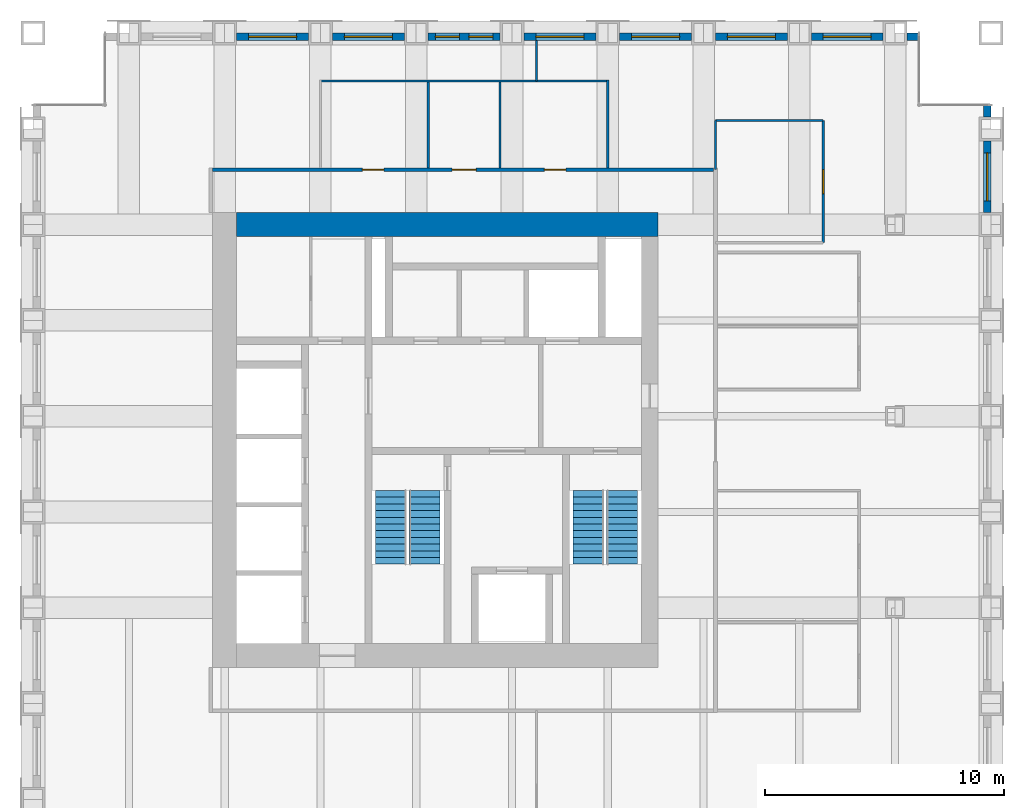
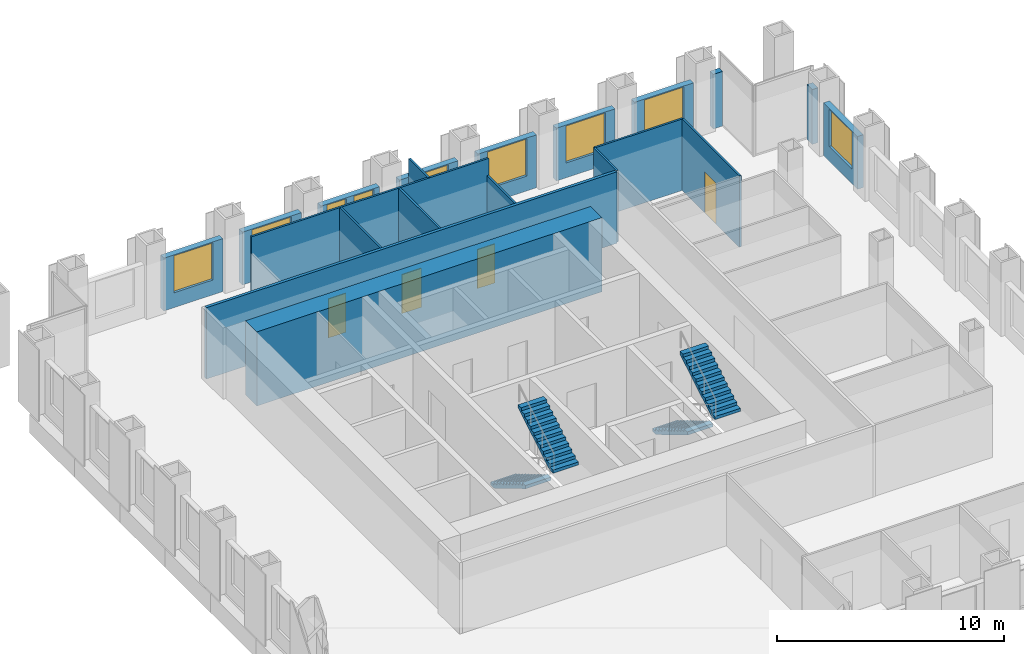
# One storey, part 10 of 11: 20 walls, 9 windows, 4 doors, 4 stair flights, 13 openings, 2 elements without a shape of their own.
"""IFC4 building model written with IfcOpenShell, lengths in metres."""

from ifc_helpers import new_model, si_unit, direction, frame, frame_2d, origin, place, context, subcontext, project, spatial, polyline, rectangle, outline, extrude, material, layer, layer_set, type_object, element, fill, aggregate, save


model = new_model("IFC4")

# Units and contexts
model_context = context("Model", 3, precision=1e-05, world=origin(), true_north=direction((0.0, 1.0)))
body_context = subcontext(model_context, "Body", "Model", "MODEL_VIEW")
ifc_project = project(units=[si_unit("LENGTHUNIT", "METRE"), si_unit("AREAUNIT", "SQUARE_METRE"), si_unit("VOLUMEUNIT", "CUBIC_METRE"), si_unit("PLANEANGLEUNIT", "RADIAN"), si_unit("MASSUNIT", "GRAM", prefix="KILO")], contexts=[model_context])

# Site, building, storey
site_placement = place(None, origin())
site = spatial("IfcSite", under=ifc_project, at=site_placement, CompositionType="ELEMENT")
building_placement = place(site_placement, origin())
building = spatial("IfcBuilding", under=site, at=building_placement, Name="Rimbunsela Tower", CompositionType="ELEMENT")
storey_placement = place(building_placement, frame((0.0, 0.0, 246.199951171875)))
storey = spatial("IfcBuildingStorey", under=building, at=storey_placement, Name="L59", CompositionType="ELEMENT", Elevation=246.199951171875)

# Walls
ifc_material_1 = material(Name="Concrete fc' 80 MPa", Category="concrete")
ifc_layer_1 = layer(ifc_material_1, 1.0)
ifc_layer_set_1 = layer_set([ifc_layer_1], Name="Core wall 1000")
wall_type_1 = type_object("IfcWallType", Name="Core wall 1000", PredefinedType="SHEAR", material=ifc_layer_set_1)
wall_1_placement = place(storey_placement, frame((18.5, 36.0, -0.14990234375), z_axis=(0.0, 0.0, 1.0), x_axis=(1.0, 0.0, 0.0)))
element("IfcWall", 1, at=wall_1_placement, inside=storey, type_object=wall_type_1, Name="Core wall north", PredefinedType="SHEAR", context=body_context, shape_type="SweptSolid", body=[
    extrude(rectangle(XDim=17.60009765625, YDim=1.0, at=frame_2d((8.800048828125, 0.0))), origin(), (0.0, 0.0, 1.0), 4.0),
])
ifc_material_2 = material(Name="Gypsum board on steel studs", Category="steel")
ifc_layer_2 = layer(ifc_material_2, 0.10009765625)
ifc_layer_set_2 = layer_set([ifc_layer_2], Name="Office partition 100")
wall_type_2 = type_object("IfcWallType", Name="Office partition 100", PredefinedType="PARTITIONING", material=ifc_layer_set_2)
wall_2_placement = place(storey_placement, frame((31.02490234375, 43.699951171875, 0.0), z_axis=(0.0, 0.0, 1.0), x_axis=(0.0, -1.0, 0.0)))
element("IfcWall", 2, at=wall_2_placement, inside=storey, type_object=wall_type_2, Name="Office partition", PredefinedType="PARTITIONING", context=body_context, shape_type="SweptSolid", body=[
    extrude(rectangle(XDim=1.699951171875, YDim=0.10009765625, at=frame_2d((0.85009765625, 0.0))), origin(), (0.0, 0.0, 1.0), 3.85009765625),
])

# Wall, opening, door
wall_3_placement = place(storey_placement, frame((43.0, 35.25, 0.0), z_axis=(0.0, 0.0, 1.0), x_axis=(0.0, 1.0, 0.0)))
wall_3 = element("IfcWall", 3, at=wall_3_placement, inside=storey, type_object=wall_type_2, Name="Office partition", PredefinedType="PARTITIONING", context=body_context, shape_type="SweptSolid", body=[
    extrude(rectangle(XDim=5.10009765625, YDim=0.10009765625, at=frame_2d((2.550048828125, 0.0))), origin(), (0.0, 0.0, 1.0), 3.85009765625),
])
opening_1_placement = place(wall_3_placement, frame((2.050048828125, 0.0, 0.0)))
opening_1 = element("IfcOpeningElement", 4, at=opening_1_placement, cuts=wall_3, Name="Opening D17", PredefinedType="OPENING", context=body_context, shape_type="SweptSolid", body=[
    extrude(rectangle(XDim=1.0, YDim=2.199951171875, at=frame_2d((0.5, 1.10009765625))), frame((0.0, 0.06005859375, 0.0), z_axis=(0.0, -1.0, 0.0), x_axis=(1.0, 0.0, 0.0)), (0.0, 0.0, 1.0), 0.1201171875),
])
ifc_material_3 = material(Name="Glazed aluminium door", Category="aluminium")
door_type_1 = type_object("IfcDoorType", Name="Meeting room door 1000 glazed", OperationType="SINGLE_SWING_RIGHT", PredefinedType="DOOR", material=ifc_material_3)
door_1_placement = place(opening_1_placement, origin())
door_1 = element("IfcDoor", 5, at=door_1_placement, inside=storey, type_object=door_type_1, Name="Reception door", OperationType="SINGLE_SWING_RIGHT", OverallHeight=2.199951171875, OverallWidth=1.0, PredefinedType="DOOR", context=body_context, shape_type="SweptSolid", body=[
    extrude(rectangle(XDim=1.0, YDim=2.199951171875, at=frame_2d((0.5, 1.10009765625))), frame((0.0, 0.02490234375, 0.0), z_axis=(0.0, -1.0, 0.0), x_axis=(1.0, 0.0, 0.0)), (0.0, 0.0, 1.0), 0.050048828125),
])
fill(opening_1, door_1)

# Walls
wall_4_placement = place(storey_placement, frame((43.0, 40.35009765625, 0.0), z_axis=(0.0, 0.0, 1.0), x_axis=(-1.0, 0.0, 0.0)))
element("IfcWall", 6, at=wall_4_placement, inside=storey, type_object=wall_type_2, Name="Office partition", PredefinedType="PARTITIONING", context=body_context, shape_type="SweptSolid", body=[
    extrude(rectangle(XDim=4.5, YDim=0.10009765625, at=frame_2d((2.25, 0.0))), origin(), (0.0, 0.0, 1.0), 3.85009765625),
])
wall_5_placement = place(storey_placement, frame((38.5, 40.35009765625, 0.0), z_axis=(0.0, 0.0, 1.0), x_axis=(0.0, -1.0, 0.0)))
element("IfcWall", 7, at=wall_5_placement, inside=storey, type_object=wall_type_2, Name="Office partition", PredefinedType="PARTITIONING", context=body_context, shape_type="SweptSolid", body=[
    extrude(rectangle(XDim=2.050048828125, YDim=0.10009765625, at=frame_2d((1.02490234375, 0.0))), origin(), (0.0, 0.0, 1.0), 3.85009765625),
])

# Wall, opening, window
ifc_material_4 = material(Name="Precast concrete fc' 35 MPa", Category="concrete")
ifc_layer_3 = layer(ifc_material_4, 0.300048828125)
ifc_layer_set_3 = layer_set([ifc_layer_3], Name="Precast concrete fc' 35 MPa")
wall_type_3 = type_object("IfcWallType", Name="Precast facade panel 300", PredefinedType="ELEMENTEDWALL", material=ifc_layer_set_3)
wall_6_placement = place(storey_placement, frame((49.85009765625, 36.5, 0.0), z_axis=(0.0, 0.0, 1.0), x_axis=(0.0, 1.0, 0.0)))
wall_6 = element("IfcWall", 8, at=wall_6_placement, inside=storey, type_object=wall_type_3, Name="Facade panel E L59", PredefinedType="ELEMENTEDWALL", context=body_context, shape_type="SweptSolid", body=[
    extrude(rectangle(XDim=3.0, YDim=0.300048828125, at=frame_2d((1.5, 0.0))), origin(), (0.0, 0.0, 1.0), 2.85009765625),
])
opening_2_placement = place(wall_6_placement, frame((0.5, 0.0, 0.800048828125)))
opening_2 = element("IfcOpeningElement", 9, at=opening_2_placement, cuts=wall_6, Name="Opening W1", PredefinedType="OPENING", context=body_context, shape_type="SweptSolid", body=[
    extrude(rectangle(XDim=2.0, YDim=2.0, at=frame_2d((1.0, 1.0))), frame((0.0, 0.159912109375, 0.0), z_axis=(0.0, -1.0, 0.0), x_axis=(1.0, 0.0, 0.0)), (0.0, 0.0, 1.0), 0.320068359375),
])
ifc_material_5 = material(Name="Clear glass in aluminium frame", Category="aluminium")
window_type_1 = type_object("IfcWindowType", Name="Window W1 2000x2000", PartitioningType="DOUBLE_PANEL_VERTICAL", PredefinedType="WINDOW", material=ifc_material_5)
window_1_placement = place(opening_2_placement, origin())
window_1 = element("IfcWindow", 10, at=window_1_placement, inside=storey, type_object=window_type_1, Name="Window L59", OverallHeight=2.0, OverallWidth=2.0, PartitioningType="SINGLE_PANEL", PredefinedType="WINDOW", context=body_context, shape_type="SweptSolid", body=[
    extrude(rectangle(XDim=2.0, YDim=2.0, at=frame_2d((1.0, 1.0))), frame((0.0, 0.030029296875, 0.0), z_axis=(0.0, -1.0, 0.0), x_axis=(1.0, 0.0, 0.0)), (0.0, 0.0, 1.0), 0.06005859375),
])
fill(opening_2, window_1)

# Wall
wall_7_placement = place(storey_placement, frame((49.85009765625, 40.5, 0.0), z_axis=(0.0, 0.0, 1.0), x_axis=(0.0, 1.0, 0.0)))
element("IfcWall", 11, at=wall_7_placement, inside=storey, type_object=wall_type_3, Name="Facade panel E L59", PredefinedType="ELEMENTEDWALL", context=body_context, shape_type="SweptSolid", body=[
    extrude(rectangle(XDim=0.469970703125, YDim=0.300048828125, at=frame_2d((0.23486328125, 0.0))), origin(), (0.0, 0.0, 1.0), 2.949951171875),
])

# Wall, opening, window
wall_8_placement = place(storey_placement, frame((21.5, 43.85009765625, 0.0), z_axis=(0.0, 0.0, 1.0), x_axis=(-1.0, 0.0, 0.0)))
wall_8 = element("IfcWall", 12, at=wall_8_placement, inside=storey, type_object=wall_type_3, Name="Facade panel N L59", PredefinedType="ELEMENTEDWALL", context=body_context, shape_type="SweptSolid", body=[
    extrude(rectangle(XDim=3.0, YDim=0.300048828125, at=frame_2d((1.5, 0.0))), origin(), (0.0, 0.0, 1.0), 2.85009765625),
])
opening_3_placement = place(wall_8_placement, frame((0.5, 0.0, 0.800048828125)))
opening_3 = element("IfcOpeningElement", 13, at=opening_3_placement, cuts=wall_8, Name="Opening W1", PredefinedType="OPENING", context=body_context, shape_type="SweptSolid", body=[
    extrude(rectangle(XDim=2.0, YDim=2.0, at=frame_2d((1.0, 1.0))), frame((0.0, 0.159912109375, 0.0), z_axis=(0.0, -1.0, 0.0), x_axis=(1.0, 0.0, 0.0)), (0.0, 0.0, 1.0), 0.320068359375),
])
window_2_placement = place(opening_3_placement, origin())
window_2 = element("IfcWindow", 14, at=window_2_placement, inside=storey, type_object=window_type_1, Name="Window L59", OverallHeight=2.0, OverallWidth=2.0, PartitioningType="SINGLE_PANEL", PredefinedType="WINDOW", context=body_context, shape_type="SweptSolid", body=[
    extrude(rectangle(XDim=2.0, YDim=2.0, at=frame_2d((1.0, 1.0))), frame((0.0, 0.030029296875, 0.0), z_axis=(0.0, -1.0, 0.0), x_axis=(1.0, 0.0, 0.0)), (0.0, 0.0, 1.0), 0.06005859375),
])
fill(opening_3, window_2)

wall_9_placement = place(storey_placement, frame((25.5, 43.85009765625, 0.0), z_axis=(0.0, 0.0, 1.0), x_axis=(-1.0, 0.0, 0.0)))
wall_9 = element("IfcWall", 15, at=wall_9_placement, inside=storey, type_object=wall_type_3, Name="Facade panel N L59", PredefinedType="ELEMENTEDWALL", context=body_context, shape_type="SweptSolid", body=[
    extrude(rectangle(XDim=3.0, YDim=0.300048828125, at=frame_2d((1.5, 0.0))), origin(), (0.0, 0.0, 1.0), 2.85009765625),
])
opening_4_placement = place(wall_9_placement, frame((0.5, 0.0, 0.800048828125)))
opening_4 = element("IfcOpeningElement", 16, at=opening_4_placement, cuts=wall_9, Name="Opening W1", PredefinedType="OPENING", context=body_context, shape_type="SweptSolid", body=[
    extrude(rectangle(XDim=2.0, YDim=2.0, at=frame_2d((1.0, 1.0))), frame((0.0, 0.159912109375, 0.0), z_axis=(0.0, -1.0, 0.0), x_axis=(1.0, 0.0, 0.0)), (0.0, 0.0, 1.0), 0.320068359375),
])
window_3_placement = place(opening_4_placement, origin())
window_3 = element("IfcWindow", 17, at=window_3_placement, inside=storey, type_object=window_type_1, Name="Window L59", OverallHeight=2.0, OverallWidth=2.0, PartitioningType="SINGLE_PANEL", PredefinedType="WINDOW", context=body_context, shape_type="SweptSolid", body=[
    extrude(rectangle(XDim=2.0, YDim=2.0, at=frame_2d((1.0, 1.0))), frame((0.0, 0.030029296875, 0.0), z_axis=(0.0, -1.0, 0.0), x_axis=(1.0, 0.0, 0.0)), (0.0, 0.0, 1.0), 0.06005859375),
])
fill(opening_4, window_3)

# Wall, openings, windows
wall_10_placement = place(storey_placement, frame((29.5, 43.85009765625, 0.0), z_axis=(0.0, 0.0, 1.0), x_axis=(-1.0, 0.0, 0.0)))
wall_10 = element("IfcWall", 18, at=wall_10_placement, inside=storey, type_object=wall_type_3, Name="Facade panel N L59", PredefinedType="ELEMENTEDWALL", context=body_context, shape_type="SweptSolid", body=[
    extrude(rectangle(XDim=3.0, YDim=0.300048828125, at=frame_2d((1.5, 0.0))), origin(), (0.0, 0.0, 1.0), 2.85009765625),
])
opening_5_placement = place(wall_10_placement, frame((1.699951171875, 0.0, 0.800048828125)))
opening_5 = element("IfcOpeningElement", 19, at=opening_5_placement, cuts=wall_10, Name="Opening W5", PredefinedType="OPENING", context=body_context, shape_type="SweptSolid", body=[
    extrude(rectangle(XDim=1.0, YDim=2.0, at=frame_2d((0.5, 1.0))), frame((0.0, 0.159912109375, 0.0), z_axis=(0.0, -1.0, 0.0), x_axis=(1.0, 0.0, 0.0)), (0.0, 0.0, 1.0), 0.320068359375),
])
opening_6_placement = place(wall_10_placement, frame((0.300048828125, 0.0, 0.800048828125)))
opening_6 = element("IfcOpeningElement", 20, at=opening_6_placement, cuts=wall_10, Name="Opening W5", PredefinedType="OPENING", context=body_context, shape_type="SweptSolid", body=[
    extrude(rectangle(XDim=1.0, YDim=2.0, at=frame_2d((0.5, 1.0))), frame((0.0, 0.159912109375, 0.0), z_axis=(0.0, -1.0, 0.0), x_axis=(1.0, 0.0, 0.0)), (0.0, 0.0, 1.0), 0.320068359375),
])
ifc_material_6 = material(Name="Clear glass in aluminium frame", Category="aluminium")
window_type_2 = type_object("IfcWindowType", Name="Window W5 1000x2000", PartitioningType="SINGLE_PANEL", PredefinedType="WINDOW", material=ifc_material_6)
window_4_placement = place(opening_5_placement, origin())
window_4 = element("IfcWindow", 21, at=window_4_placement, inside=storey, type_object=window_type_2, Name="Window L59", OverallHeight=2.0, OverallWidth=1.0, PartitioningType="SINGLE_PANEL", PredefinedType="WINDOW", context=body_context, shape_type="SweptSolid", body=[
    extrude(rectangle(XDim=1.0, YDim=2.0, at=frame_2d((0.5, 1.0))), frame((0.0, 0.030029296875, 0.0), z_axis=(0.0, -1.0, 0.0), x_axis=(1.0, 0.0, 0.0)), (0.0, 0.0, 1.0), 0.06005859375),
])
fill(opening_5, window_4)
window_5_placement = place(opening_6_placement, origin())
window_5 = element("IfcWindow", 22, at=window_5_placement, inside=storey, type_object=window_type_2, Name="Window L59", OverallHeight=2.0, OverallWidth=1.0, PartitioningType="SINGLE_PANEL", PredefinedType="WINDOW", context=body_context, shape_type="SweptSolid", body=[
    extrude(rectangle(XDim=1.0, YDim=2.0, at=frame_2d((0.5, 1.0))), frame((0.0, 0.030029296875, 0.0), z_axis=(0.0, -1.0, 0.0), x_axis=(1.0, 0.0, 0.0)), (0.0, 0.0, 1.0), 0.06005859375),
])
fill(opening_6, window_5)

# Wall, opening, window
wall_11_placement = place(storey_placement, frame((33.5, 43.85009765625, 0.0), z_axis=(0.0, 0.0, 1.0), x_axis=(-1.0, 0.0, 0.0)))
wall_11 = element("IfcWall", 23, at=wall_11_placement, inside=storey, type_object=wall_type_3, Name="Facade panel N L59", PredefinedType="ELEMENTEDWALL", context=body_context, shape_type="SweptSolid", body=[
    extrude(rectangle(XDim=3.0, YDim=0.300048828125, at=frame_2d((1.5, 0.0))), origin(), (0.0, 0.0, 1.0), 2.85009765625),
])
opening_7_placement = place(wall_11_placement, frame((0.5, 0.0, 0.800048828125)))
opening_7 = element("IfcOpeningElement", 24, at=opening_7_placement, cuts=wall_11, Name="Opening W1", PredefinedType="OPENING", context=body_context, shape_type="SweptSolid", body=[
    extrude(rectangle(XDim=2.0, YDim=2.0, at=frame_2d((1.0, 1.0))), frame((0.0, 0.159912109375, 0.0), z_axis=(0.0, -1.0, 0.0), x_axis=(1.0, 0.0, 0.0)), (0.0, 0.0, 1.0), 0.320068359375),
])
window_6_placement = place(opening_7_placement, origin())
window_6 = element("IfcWindow", 25, at=window_6_placement, inside=storey, type_object=window_type_1, Name="Window L59", OverallHeight=2.0, OverallWidth=2.0, PartitioningType="SINGLE_PANEL", PredefinedType="WINDOW", context=body_context, shape_type="SweptSolid", body=[
    extrude(rectangle(XDim=2.0, YDim=2.0, at=frame_2d((1.0, 1.0))), frame((0.0, 0.030029296875, 0.0), z_axis=(0.0, -1.0, 0.0), x_axis=(1.0, 0.0, 0.0)), (0.0, 0.0, 1.0), 0.06005859375),
])
fill(opening_7, window_6)

wall_12_placement = place(storey_placement, frame((37.5, 43.85009765625, 0.0), z_axis=(0.0, 0.0, 1.0), x_axis=(-1.0, 0.0, 0.0)))
wall_12 = element("IfcWall", 26, at=wall_12_placement, inside=storey, type_object=wall_type_3, Name="Facade panel N L59", PredefinedType="ELEMENTEDWALL", context=body_context, shape_type="SweptSolid", body=[
    extrude(rectangle(XDim=3.0, YDim=0.300048828125, at=frame_2d((1.5, 0.0))), origin(), (0.0, 0.0, 1.0), 2.85009765625),
])
opening_8_placement = place(wall_12_placement, frame((0.5, 0.0, 0.800048828125)))
opening_8 = element("IfcOpeningElement", 27, at=opening_8_placement, cuts=wall_12, Name="Opening W1", PredefinedType="OPENING", context=body_context, shape_type="SweptSolid", body=[
    extrude(rectangle(XDim=2.0, YDim=2.0, at=frame_2d((1.0, 1.0))), frame((0.0, 0.159912109375, 0.0), z_axis=(0.0, -1.0, 0.0), x_axis=(1.0, 0.0, 0.0)), (0.0, 0.0, 1.0), 0.320068359375),
])
window_7_placement = place(opening_8_placement, origin())
window_7 = element("IfcWindow", 28, at=window_7_placement, inside=storey, type_object=window_type_1, Name="Window L59", OverallHeight=2.0, OverallWidth=2.0, PartitioningType="SINGLE_PANEL", PredefinedType="WINDOW", context=body_context, shape_type="SweptSolid", body=[
    extrude(rectangle(XDim=2.0, YDim=2.0, at=frame_2d((1.0, 1.0))), frame((0.0, 0.030029296875, 0.0), z_axis=(0.0, -1.0, 0.0), x_axis=(1.0, 0.0, 0.0)), (0.0, 0.0, 1.0), 0.06005859375),
])
fill(opening_8, window_7)

wall_13_placement = place(storey_placement, frame((41.5, 43.85009765625, 0.0), z_axis=(0.0, 0.0, 1.0), x_axis=(-1.0, 0.0, 0.0)))
wall_13 = element("IfcWall", 29, at=wall_13_placement, inside=storey, type_object=wall_type_3, Name="Facade panel N L59", PredefinedType="ELEMENTEDWALL", context=body_context, shape_type="SweptSolid", body=[
    extrude(rectangle(XDim=3.0, YDim=0.300048828125, at=frame_2d((1.5, 0.0))), origin(), (0.0, 0.0, 1.0), 2.85009765625),
])
opening_9_placement = place(wall_13_placement, frame((0.5, 0.0, 0.800048828125)))
opening_9 = element("IfcOpeningElement", 30, at=opening_9_placement, cuts=wall_13, Name="Opening W1", PredefinedType="OPENING", context=body_context, shape_type="SweptSolid", body=[
    extrude(rectangle(XDim=2.0, YDim=2.0, at=frame_2d((1.0, 1.0))), frame((0.0, 0.159912109375, 0.0), z_axis=(0.0, -1.0, 0.0), x_axis=(1.0, 0.0, 0.0)), (0.0, 0.0, 1.0), 0.320068359375),
])
window_8_placement = place(opening_9_placement, origin())
window_8 = element("IfcWindow", 31, at=window_8_placement, inside=storey, type_object=window_type_1, Name="Window L59", OverallHeight=2.0, OverallWidth=2.0, PartitioningType="SINGLE_PANEL", PredefinedType="WINDOW", context=body_context, shape_type="SweptSolid", body=[
    extrude(rectangle(XDim=2.0, YDim=2.0, at=frame_2d((1.0, 1.0))), frame((0.0, 0.030029296875, 0.0), z_axis=(0.0, -1.0, 0.0), x_axis=(1.0, 0.0, 0.0)), (0.0, 0.0, 1.0), 0.06005859375),
])
fill(opening_9, window_8)

wall_14_placement = place(storey_placement, frame((45.5, 43.85009765625, 0.0), z_axis=(0.0, 0.0, 1.0), x_axis=(-1.0, 0.0, 0.0)))
wall_14 = element("IfcWall", 32, at=wall_14_placement, inside=storey, type_object=wall_type_3, Name="Facade panel N L59", PredefinedType="ELEMENTEDWALL", context=body_context, shape_type="SweptSolid", body=[
    extrude(rectangle(XDim=3.0, YDim=0.300048828125, at=frame_2d((1.5, 0.0))), origin(), (0.0, 0.0, 1.0), 2.85009765625),
])
opening_10_placement = place(wall_14_placement, frame((0.5, 0.0, 0.800048828125)))
opening_10 = element("IfcOpeningElement", 33, at=opening_10_placement, cuts=wall_14, Name="Opening W1", PredefinedType="OPENING", context=body_context, shape_type="SweptSolid", body=[
    extrude(rectangle(XDim=2.0, YDim=2.0, at=frame_2d((1.0, 1.0))), frame((0.0, 0.159912109375, 0.0), z_axis=(0.0, -1.0, 0.0), x_axis=(1.0, 0.0, 0.0)), (0.0, 0.0, 1.0), 0.320068359375),
])
window_9_placement = place(opening_10_placement, origin())
window_9 = element("IfcWindow", 34, at=window_9_placement, inside=storey, type_object=window_type_1, Name="Window L59", OverallHeight=2.0, OverallWidth=2.0, PartitioningType="SINGLE_PANEL", PredefinedType="WINDOW", context=body_context, shape_type="SweptSolid", body=[
    extrude(rectangle(XDim=2.0, YDim=2.0, at=frame_2d((1.0, 1.0))), frame((0.0, 0.030029296875, 0.0), z_axis=(0.0, -1.0, 0.0), x_axis=(1.0, 0.0, 0.0)), (0.0, 0.0, 1.0), 0.06005859375),
])
fill(opening_10, window_9)

# Wall
wall_15_placement = place(storey_placement, frame((46.969970703125, 43.85009765625, 0.0), z_axis=(0.0, 0.0, 1.0), x_axis=(-1.0, 0.0, 0.0)))
element("IfcWall", 35, at=wall_15_placement, inside=storey, type_object=wall_type_3, Name="Facade panel N L59", PredefinedType="ELEMENTEDWALL", context=body_context, shape_type="SweptSolid", body=[
    extrude(rectangle(XDim=0.469970703125, YDim=0.300048828125, at=frame_2d((0.23486328125, 0.0))), origin(), (0.0, 0.0, 1.0), 2.949951171875),
])

# Wall, openings, doors
ifc_material_7 = material(Name="Fire-rated gypsum board on steel studs, EI 60", Category="steel")
ifc_layer_4 = layer(ifc_material_7, 0.14990234375)
ifc_layer_set_4 = layer_set([ifc_layer_4], Name="Rated corridor wall 150")
wall_type_4 = type_object("IfcWallType", Name="Rated corridor wall 150", PredefinedType="PARTITIONING", material=ifc_layer_set_4)
wall_16_placement = place(storey_placement, frame((17.5, 38.300048828125, 0.0), z_axis=(0.0, 0.0, 1.0), x_axis=(1.0, 0.0, 0.0)))
wall_16 = element("IfcWall", 36, at=wall_16_placement, inside=storey, type_object=wall_type_4, Name="Corridor wall north", PredefinedType="PARTITIONING", context=body_context, shape_type="SweptSolid", body=[
    extrude(rectangle(XDim=20.925048828125, YDim=0.14990234375, at=frame_2d((10.46240234375, 0.0))), origin(), (0.0, 0.0, 1.0), 3.85009765625),
])
opening_11_placement = place(wall_16_placement, frame((6.25, 0.0, 0.0)))
opening_11 = element("IfcOpeningElement", 37, at=opening_11_placement, cuts=wall_16, Name="Opening D04", PredefinedType="OPENING", context=body_context, shape_type="SweptSolid", body=[
    extrude(rectangle(XDim=0.89990234375, YDim=2.10009765625, at=frame_2d((0.449951171875, 1.050048828125))), frame((0.0, 0.0849609375, 0.0), z_axis=(0.0, -1.0, 0.0), x_axis=(1.0, 0.0, 0.0)), (0.0, 0.0, 1.0), 0.169921875),
])
opening_12_placement = place(wall_16_placement, frame((10.0, 0.0, 0.0)))
opening_12 = element("IfcOpeningElement", 38, at=opening_12_placement, cuts=wall_16, Name="Opening D05", PredefinedType="OPENING", context=body_context, shape_type="SweptSolid", body=[
    extrude(rectangle(XDim=1.0, YDim=2.10009765625, at=frame_2d((0.5, 1.050048828125))), frame((0.0, 0.0849609375, 0.0), z_axis=(0.0, -1.0, 0.0), x_axis=(1.0, 0.0, 0.0)), (0.0, 0.0, 1.0), 0.169921875),
])
opening_13_placement = place(wall_16_placement, frame((13.85009765625, 0.0, 0.0)))
opening_13 = element("IfcOpeningElement", 39, at=opening_13_placement, cuts=wall_16, Name="Opening D04", PredefinedType="OPENING", context=body_context, shape_type="SweptSolid", body=[
    extrude(rectangle(XDim=0.89990234375, YDim=2.10009765625, at=frame_2d((0.449951171875, 1.050048828125))), frame((0.0, 0.0849609375, 0.0), z_axis=(0.0, -1.0, 0.0), x_axis=(1.0, 0.0, 0.0)), (0.0, 0.0, 1.0), 0.169921875),
])
ifc_material_8 = material(Name="Timber door", Category="wood")
door_type_2 = type_object("IfcDoorType", Name="Accessible WC door 1000", OperationType="SLIDING_TO_LEFT", PredefinedType="DOOR", material=ifc_material_8)
door_2_placement = place(opening_12_placement, origin())
door_2 = element("IfcDoor", 40, at=door_2_placement, inside=storey, type_object=door_type_2, Name="Accessible WC door", OperationType="SLIDING_TO_LEFT", OverallHeight=2.10009765625, OverallWidth=1.0, PredefinedType="DOOR", context=body_context, shape_type="SweptSolid", body=[
    extrude(rectangle(XDim=1.0, YDim=2.10009765625, at=frame_2d((0.5, 1.050048828125))), frame((0.0, 0.02490234375, 0.0), z_axis=(0.0, -1.0, 0.0), x_axis=(1.0, 0.0, 0.0)), (0.0, 0.0, 1.0), 0.050048828125),
])
fill(opening_12, door_2)
ifc_material_9 = material(Name="Timber door", Category="wood")
door_type_3 = type_object("IfcDoorType", Name="Toilet door 900", OperationType="SINGLE_SWING_LEFT", PredefinedType="DOOR", material=ifc_material_9)
door_3_placement = place(opening_11_placement, origin())
door_3 = element("IfcDoor", 41, at=door_3_placement, inside=storey, type_object=door_type_3, Name="Female WC door", OperationType="SINGLE_SWING_LEFT", OverallHeight=2.10009765625, OverallWidth=0.89990234375, PredefinedType="DOOR", context=body_context, shape_type="SweptSolid", body=[
    extrude(rectangle(XDim=0.89990234375, YDim=2.10009765625, at=frame_2d((0.449951171875, 1.050048828125))), frame((0.0, 0.02490234375, 0.0), z_axis=(0.0, -1.0, 0.0), x_axis=(1.0, 0.0, 0.0)), (0.0, 0.0, 1.0), 0.050048828125),
])
fill(opening_11, door_3)
door_4_placement = place(opening_13_placement, origin())
door_4 = element("IfcDoor", 42, at=door_4_placement, inside=storey, type_object=door_type_3, Name="Male WC door", OperationType="SINGLE_SWING_LEFT", OverallHeight=2.10009765625, OverallWidth=0.89990234375, PredefinedType="DOOR", context=body_context, shape_type="SweptSolid", body=[
    extrude(rectangle(XDim=0.89990234375, YDim=2.10009765625, at=frame_2d((0.449951171875, 1.050048828125))), frame((0.0, 0.02490234375, 0.0), z_axis=(0.0, -1.0, 0.0), x_axis=(1.0, 0.0, 0.0)), (0.0, 0.0, 1.0), 0.050048828125),
])
fill(opening_13, door_4)

# Walls
ifc_material_10 = material(Name="Concrete blockwork", Category="masonry")
ifc_layer_5 = layer(ifc_material_10, 0.10009765625)
ifc_layer_set_5 = layer_set([ifc_layer_5], Name="Toilet partition 100")
wall_type_5 = type_object("IfcWallType", Name="Toilet partition 100", PredefinedType="PARTITIONING", material=ifc_layer_set_5)
wall_17_placement = place(storey_placement, frame((34.0, 38.375, 0.0), z_axis=(0.0, 0.0, 1.0), x_axis=(0.0, 1.0, 0.0)))
element("IfcWall", 43, at=wall_17_placement, inside=storey, type_object=wall_type_5, Name="Toilet block wall east", PredefinedType="PARTITIONING", context=body_context, shape_type="SweptSolid", body=[
    extrude(rectangle(XDim=3.675048828125, YDim=0.10009765625, at=frame_2d((1.83740234375, 0.0))), origin(), (0.0, 0.0, 1.0), 2.949951171875),
])
wall_18_placement = place(storey_placement, frame((21.949951171875, 42.0, 0.0), z_axis=(0.0, 0.0, 1.0), x_axis=(1.0, 0.0, 0.0)))
element("IfcWall", 44, at=wall_18_placement, inside=storey, type_object=wall_type_5, Name="Toilet block wall north", PredefinedType="PARTITIONING", context=body_context, shape_type="SweptSolid", body=[
    extrude(rectangle(XDim=12.10009765625, YDim=0.10009765625, at=frame_2d((6.050048828125, 0.0))), origin(), (0.0, 0.0, 1.0), 3.85009765625),
])
for number, where, z_axis, x_axis, name in (
    (45, (26.5, 38.375, 0.0), (0.0, 0.0, 1.0), (0.0, 1.0, 0.0), "Toilet partition"),
    (46, (29.5, 38.375, 0.0), (0.0, 0.0, 1.0), (0.0, 1.0, 0.0), "Toilet partition"),
):
    element("IfcWall", number, at=place(storey_placement, frame(where, z_axis=z_axis, x_axis=x_axis)), inside=storey, type_object=wall_type_5, Name=name, PredefinedType="PARTITIONING", context=body_context, shape_type="SweptSolid", body=[
        extrude(rectangle(XDim=3.574951171875, YDim=0.10009765625, at=frame_2d((1.78759765625, 0.0))), origin(), (0.0, 0.0, 1.0), 3.85009765625),
    ])

# Stair, stair flights
ifc_material_11 = material(Name="Concrete fc' 35 MPa", Category="concrete")
stair_type = type_object("IfcStairType", Name="Exit stair 24 risers", PredefinedType="HALF_TURN_STAIR", material=ifc_material_11)
stair_1_placement = place(storey_placement, origin())
stair_1 = element("IfcStair", 47, at=stair_1_placement, inside=storey, type_object=stair_type, Name="Exit stair A L59", PredefinedType="HALF_TURN_STAIR")
ifc_material_12 = material(Name="Concrete fc' 35 MPa", Category="concrete")
stair_flight_type = type_object("IfcStairFlightType", Name="Stair flight 12 risers 167", PredefinedType="STRAIGHT", material=ifc_material_12)
stair_flight_1_placement = place(storey_placement, frame((24.949951171875, 24.89990234375, 0.0), z_axis=(0.0, 0.0, 1.0), x_axis=(0.0, -1.0, 0.0)))
stair_flight_1 = element("IfcStairFlight", 48, at=stair_flight_1_placement, type_object=stair_flight_type, Name="ST-A flight 1", NumberOfRisers=12, NumberOfTreads=11, PredefinedType="STRAIGHT", RiserHeight=0.166666667, TreadLength=0.28, context=body_context, shape_type="SweptSolid", body=[
    extrude(outline(polyline([(0.0, 0.0), (0.0, 0.166748046875), (0.280029296875, 0.166748046875), (0.280029296875, 0.333251953125), (0.56005859375, 0.333251953125), (0.56005859375, 0.5), (0.840087890625, 0.5), (0.840087890625, 0.666748046875), (1.1201171875, 0.666748046875), (1.1201171875, 0.833251953125), (1.39990234375, 0.833251953125), (1.39990234375, 1.0), (1.679931640625, 1.0), (1.679931640625, 1.166748046875), (1.9599609375, 1.166748046875), (1.9599609375, 1.333251953125), (2.239990234375, 1.333251953125), (2.239990234375, 1.5), (2.52001953125, 1.5), (2.52001953125, 1.666748046875), (2.800048828125, 1.666748046875), (2.800048828125, 1.833251953125), (3.080078125, 1.833251953125), (3.080078125, 2.0), (3.080078125, 1.658935546875), (0.29296875, 0.0), (0.0, 0.0)])), frame((0.0, 0.64990234375, 0.0), z_axis=(0.0, -1.0, 0.0), x_axis=(1.0, 0.0, 0.0)), (0.0, 0.0, 1.0), 1.300048828125),
])
stair_flight_2_placement = place(storey_placement, frame((26.35009765625, 21.820068359375, 2.0), z_axis=(0.0, 0.0, 1.0), x_axis=(0.0, 1.0, 0.0)))
stair_flight_2 = element("IfcStairFlight", 49, at=stair_flight_2_placement, type_object=stair_flight_type, Name="ST-A flight 2", NumberOfRisers=12, NumberOfTreads=11, PredefinedType="STRAIGHT", RiserHeight=0.166666667, TreadLength=0.28, context=body_context, shape_type="SweptSolid", body=[
    extrude(outline(polyline([(0.0, 0.0), (0.0, 0.166748046875), (0.280029296875, 0.166748046875), (0.280029296875, 0.333251953125), (0.56005859375, 0.333251953125), (0.56005859375, 0.5), (0.840087890625, 0.5), (0.840087890625, 0.666748046875), (1.1201171875, 0.666748046875), (1.1201171875, 0.833251953125), (1.39990234375, 0.833251953125), (1.39990234375, 1.0), (1.679931640625, 1.0), (1.679931640625, 1.166748046875), (1.9599609375, 1.166748046875), (1.9599609375, 1.333251953125), (2.239990234375, 1.333251953125), (2.239990234375, 1.5), (2.52001953125, 1.5), (2.52001953125, 1.666748046875), (2.800048828125, 1.666748046875), (2.800048828125, 1.833251953125), (3.080078125, 1.833251953125), (3.080078125, 2.0), (3.080078125, 1.658935546875), (0.29296875, 0.0), (0.0, 0.0)])), frame((0.0, 0.64990234375, 0.0), z_axis=(0.0, -1.0, 0.0), x_axis=(1.0, 0.0, 0.0)), (0.0, 0.0, 1.0), 1.300048828125),
])
aggregate(stair_1, [stair_flight_1, stair_flight_2])

stair_2_placement = place(storey_placement, origin())
stair_2 = element("IfcStair", 50, at=stair_2_placement, inside=storey, type_object=stair_type, Name="Exit stair B L59", PredefinedType="HALF_TURN_STAIR")
stair_flight_3_placement = place(storey_placement, frame((33.199951171875, 24.89990234375, 0.0), z_axis=(0.0, 0.0, 1.0), x_axis=(0.0, -1.0, 0.0)))
stair_flight_3 = element("IfcStairFlight", 51, at=stair_flight_3_placement, type_object=stair_flight_type, Name="ST-B flight 1", NumberOfRisers=12, NumberOfTreads=11, PredefinedType="STRAIGHT", RiserHeight=0.166666667, TreadLength=0.28, context=body_context, shape_type="SweptSolid", body=[
    extrude(outline(polyline([(0.0, 0.0), (0.0, 0.166748046875), (0.280029296875, 0.166748046875), (0.280029296875, 0.333251953125), (0.56005859375, 0.333251953125), (0.56005859375, 0.5), (0.840087890625, 0.5), (0.840087890625, 0.666748046875), (1.1201171875, 0.666748046875), (1.1201171875, 0.833251953125), (1.39990234375, 0.833251953125), (1.39990234375, 1.0), (1.679931640625, 1.0), (1.679931640625, 1.166748046875), (1.9599609375, 1.166748046875), (1.9599609375, 1.333251953125), (2.239990234375, 1.333251953125), (2.239990234375, 1.5), (2.52001953125, 1.5), (2.52001953125, 1.666748046875), (2.800048828125, 1.666748046875), (2.800048828125, 1.833251953125), (3.080078125, 1.833251953125), (3.080078125, 2.0), (3.080078125, 1.658935546875), (0.29296875, 0.0), (0.0, 0.0)])), frame((0.0, 0.64990234375, 0.0), z_axis=(0.0, -1.0, 0.0), x_axis=(1.0, 0.0, 0.0)), (0.0, 0.0, 1.0), 1.300048828125),
])
stair_flight_4_placement = place(storey_placement, frame((34.60009765625, 21.820068359375, 2.0), z_axis=(0.0, 0.0, 1.0), x_axis=(0.0, 1.0, 0.0)))
stair_flight_4 = element("IfcStairFlight", 52, at=stair_flight_4_placement, type_object=stair_flight_type, Name="ST-B flight 2", NumberOfRisers=12, NumberOfTreads=11, PredefinedType="STRAIGHT", RiserHeight=0.166666667, TreadLength=0.28, context=body_context, shape_type="SweptSolid", body=[
    extrude(outline(polyline([(0.0, 0.0), (0.0, 0.166748046875), (0.280029296875, 0.166748046875), (0.280029296875, 0.333251953125), (0.56005859375, 0.333251953125), (0.56005859375, 0.5), (0.840087890625, 0.5), (0.840087890625, 0.666748046875), (1.1201171875, 0.666748046875), (1.1201171875, 0.833251953125), (1.39990234375, 0.833251953125), (1.39990234375, 1.0), (1.679931640625, 1.0), (1.679931640625, 1.166748046875), (1.9599609375, 1.166748046875), (1.9599609375, 1.333251953125), (2.239990234375, 1.333251953125), (2.239990234375, 1.5), (2.52001953125, 1.5), (2.52001953125, 1.666748046875), (2.800048828125, 1.666748046875), (2.800048828125, 1.833251953125), (3.080078125, 1.833251953125), (3.080078125, 2.0), (3.080078125, 1.658935546875), (0.29296875, 0.0), (0.0, 0.0)])), frame((0.0, 0.64990234375, 0.0), z_axis=(0.0, -1.0, 0.0), x_axis=(1.0, 0.0, 0.0)), (0.0, 0.0, 1.0), 1.300048828125),
])
aggregate(stair_2, [stair_flight_3, stair_flight_4])

save(model, "model.ifc")
